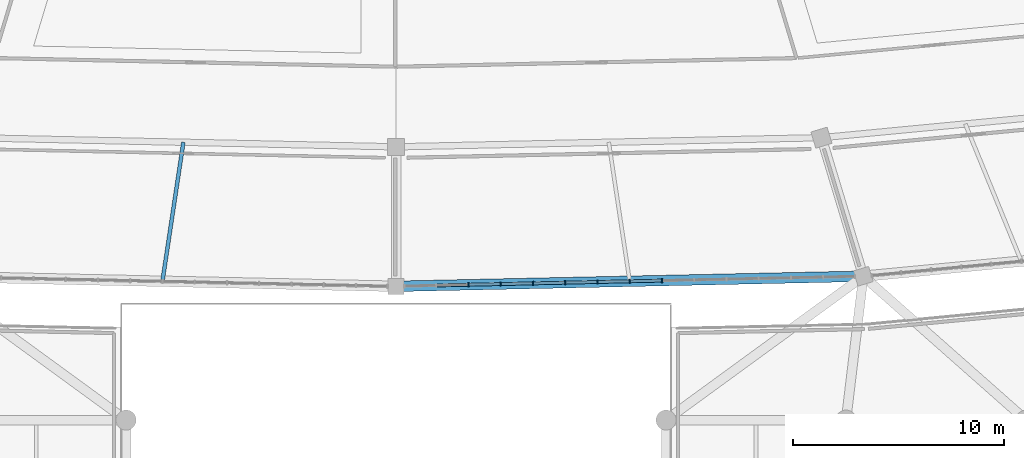
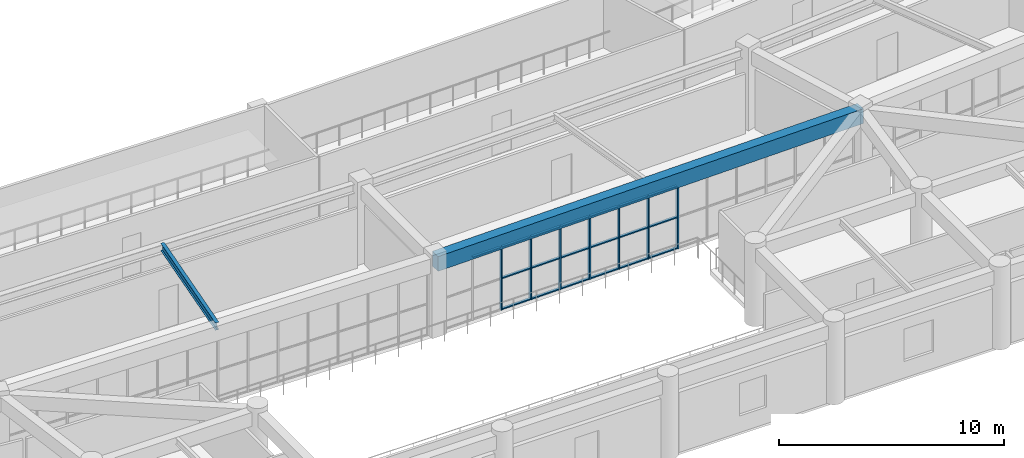
# One storey, part 25 of 141: 26 members, 2 beams, 1 element without a shape of its own.
"""IFC4 building model written with IfcOpenShell, lengths in metres."""

from ifc_helpers import new_model, si_unit, direction, frame, origin, origin_2d, place, context, subcontext, project, spatial, rectangle, i_section, extrude, material, layer, layer_set, material_profile, profile_set, type_object, element, aggregate, save


model = new_model("IFC4")

# Units and contexts
model_context = context("Model", 3, precision=1e-05, world=origin(), true_north=direction((0.0, 1.0)))
body_context = subcontext(model_context, "Body", "Model", "MODEL_VIEW")
ifc_project = project(units=[si_unit("LENGTHUNIT", "METRE"), si_unit("AREAUNIT", "SQUARE_METRE"), si_unit("VOLUMEUNIT", "CUBIC_METRE"), si_unit("PLANEANGLEUNIT", "RADIAN"), si_unit("MASSUNIT", "GRAM", prefix="KILO")], contexts=[model_context])

# Site, building, storey
site_placement = place(None, origin())
site = spatial("IfcSite", under=ifc_project, at=site_placement, CompositionType="ELEMENT")
building_placement = place(site_placement, origin())
building = spatial("IfcBuilding", under=site, at=building_placement, Name="Mphavela Belvedere Stadium", CompositionType="ELEMENT")
storey_placement = place(building_placement, frame((0.0, 0.0, 14.699951171875)))
storey = spatial("IfcBuildingStorey", under=building, at=storey_placement, Name="L03", CompositionType="ELEMENT", Elevation=14.699951171875)

# Beams
ifc_material_1 = material(Name="Steel S355", Category="steel")
ifc_material_profile_1 = material_profile(ifc_material_1, i_section(OverallWidth=0.179931640625, OverallDepth=0.39990234375, WebThickness=0.008544921875, FlangeThickness=0.013427734375, at=origin_2d()), Name="IPE 400")
ifc_profile_set_1 = profile_set([ifc_material_profile_1], Name="Steel S355")
beam_type_1 = type_object("IfcBeamType", Name="BM-JOIST-IPE400", PredefinedType="JOIST", material=ifc_profile_set_1)
beam_1_placement = place(storey_placement, frame((104.93359375, 20.1494140625, 4.050048828125), z_axis=(-0.14889470473, -0.988853056274, 0.0), x_axis=(0.988853056274, -0.14889470473, 0.0)))
element("IfcBeam", 1, at=beam_1_placement, inside=storey, type_object=beam_type_1, Name="Concourse floor joist L03-36", PredefinedType="JOIST", context=body_context, shape_type="SweptSolid", body=[
    extrude(i_section(OverallWidth=0.179931640625, OverallDepth=0.39990234375, WebThickness=0.008544921875, FlangeThickness=0.013427734375, at=origin_2d()), origin(), (0.0, 0.0, 1.0), 6.655517578125),
])
ifc_material_2 = material(Name="Concrete C40/50", Category="concrete")
ifc_material_profile_2 = material_profile(ifc_material_2, rectangle(XDim=0.5, YDim=0.800048828125, at=origin_2d()), Name="RC 500x800")
ifc_profile_set_2 = profile_set([ifc_material_profile_2], Name="Concrete C40/50")
beam_type_2 = type_object("IfcBeamType", Name="BM-SPANDREL-800", PredefinedType="SPANDREL", material=ifc_profile_set_2)
beam_2_placement = place(storey_placement, frame((115.0, 13.330078125, 3.85009765625), z_axis=(0.999768359718, 0.021522706765, 0.0), x_axis=(-0.021522706765, 0.999768359718, 0.0)))
element("IfcBeam", 2, at=beam_2_placement, inside=storey, type_object=beam_type_2, Name="Circumferential girder L03 R4-37", PredefinedType="SPANDREL", context=body_context, shape_type="SweptSolid", body=[
    extrude(rectangle(XDim=0.5, YDim=0.800048828125, at=origin_2d()), origin(), (0.0, 0.0, 1.0), 22.11962890625),
])

# Curtain wall, members
ifc_material_3 = material(Name="Anodised bronze unitised curtain wall framing")
ifc_layer = layer(ifc_material_3, 0.179931640625)
ifc_layer_set = layer_set([ifc_layer], Name="Anodised bronze unitised curtain wall framing")
curtain_wall_type = type_object("IfcCurtainWallType", Name="CW-UNIT-01", PredefinedType="USERDEFINED", material=ifc_layer_set)
curtain_wall_placement = place(storey_placement, origin())
curtain_wall = element("IfcCurtainWall", 3, at=curtain_wall_placement, inside=storey, type_object=curtain_wall_type, Name="Belvedere colonnade curtain wall L03-37", ObjectType="UNITISED CURTAIN WALL", PredefinedType="USERDEFINED")
ifc_material_4 = material(Name="Anodised bronze extruded aluminium", Category="aluminium")
ifc_material_profile_3 = material_profile(ifc_material_4, rectangle(XDim=0.179931640625, YDim=0.06494140625, at=origin_2d()), Name="CW-MUL 180x65")
ifc_profile_set_3 = profile_set([ifc_material_profile_3], Name="Anodised bronze extruded aluminium")
member_type_1 = type_object("IfcMemberType", Name="CWM-180x65", PredefinedType="MULLION", material=ifc_profile_set_3)
member_1_placement = place(storey_placement, frame((118.425537109375, 13.40380859375, 0.0), z_axis=(0.0, 0.0, 1.0), x_axis=(-0.02153107878, 0.999768179453, 0.0)))
member_1 = element("IfcMember", 4, at=member_1_placement, type_object=member_type_1, Name="CW-01 mullion 3", PredefinedType="MULLION", context=body_context, shape_type="SweptSolid", body=[
    extrude(rectangle(XDim=0.179931640625, YDim=0.06494140625, at=origin_2d()), origin(), (0.0, 0.0, 1.0), 3.420166015625),
])
member_2_placement = place(storey_placement, frame((119.951904296875, 13.4365234375, 0.0), z_axis=(0.0, 0.0, 1.0), x_axis=(-0.02153107878, 0.999768179453, 0.0)))
member_2 = element("IfcMember", 5, at=member_2_placement, type_object=member_type_1, Name="CW-01 mullion 4", PredefinedType="MULLION", context=body_context, shape_type="SweptSolid", body=[
    extrude(rectangle(XDim=0.179931640625, YDim=0.06494140625, at=origin_2d()), origin(), (0.0, 0.0, 1.0), 3.420166015625),
])
member_3_placement = place(storey_placement, frame((121.478271484375, 13.469482421875, 0.0), z_axis=(0.0, 0.0, 1.0), x_axis=(-0.02153107878, 0.999768179453, 0.0)))
member_3 = element("IfcMember", 6, at=member_3_placement, type_object=member_type_1, Name="CW-01 mullion 5", PredefinedType="MULLION", context=body_context, shape_type="SweptSolid", body=[
    extrude(rectangle(XDim=0.179931640625, YDim=0.06494140625, at=origin_2d()), origin(), (0.0, 0.0, 1.0), 3.420166015625),
])
member_4_placement = place(storey_placement, frame((123.004638671875, 13.50244140625, 0.0), z_axis=(0.0, 0.0, 1.0), x_axis=(-0.02153107878, 0.999768179453, 0.0)))
member_4 = element("IfcMember", 7, at=member_4_placement, type_object=member_type_1, Name="CW-01 mullion 6", PredefinedType="MULLION", context=body_context, shape_type="SweptSolid", body=[
    extrude(rectangle(XDim=0.179931640625, YDim=0.06494140625, at=origin_2d()), origin(), (0.0, 0.0, 1.0), 3.420166015625),
])
member_5_placement = place(storey_placement, frame((124.531005859375, 13.53515625, 0.0), z_axis=(0.0, 0.0, 1.0), x_axis=(-0.02153107878, 0.999768179453, 0.0)))
member_5 = element("IfcMember", 8, at=member_5_placement, type_object=member_type_1, Name="CW-01 mullion 7", PredefinedType="MULLION", context=body_context, shape_type="SweptSolid", body=[
    extrude(rectangle(XDim=0.179931640625, YDim=0.06494140625, at=origin_2d()), origin(), (0.0, 0.0, 1.0), 3.420166015625),
])
member_6_placement = place(storey_placement, frame((126.057373046875, 13.568115234375, 0.0), z_axis=(0.0, 0.0, 1.0), x_axis=(-0.02153107878, 0.999768179453, 0.0)))
member_6 = element("IfcMember", 9, at=member_6_placement, type_object=member_type_1, Name="CW-01 mullion 8", PredefinedType="MULLION", context=body_context, shape_type="SweptSolid", body=[
    extrude(rectangle(XDim=0.179931640625, YDim=0.06494140625, at=origin_2d()), origin(), (0.0, 0.0, 1.0), 3.420166015625),
])
member_7_placement = place(storey_placement, frame((127.583740234375, 13.60107421875, 0.0), z_axis=(0.0, 0.0, 1.0), x_axis=(-0.02153107878, 0.999768179453, 0.0)))
member_7 = element("IfcMember", 10, at=member_7_placement, type_object=member_type_1, Name="CW-01 mullion 9", PredefinedType="MULLION", context=body_context, shape_type="SweptSolid", body=[
    extrude(rectangle(XDim=0.179931640625, YDim=0.06494140625, at=origin_2d()), origin(), (0.0, 0.0, 1.0), 3.420166015625),
])
ifc_material_5 = material(Name="Anodised bronze extruded aluminium", Category="aluminium")
ifc_material_profile_4 = material_profile(ifc_material_5, rectangle(XDim=0.139892578125, YDim=0.06005859375, at=origin_2d()), Name="CW-TRN 140x60")
ifc_profile_set_4 = profile_set([ifc_material_profile_4], Name="Anodised bronze extruded aluminium")
member_type_2 = type_object("IfcMemberType", Name="CWT-140x60", PredefinedType="USERDEFINED", material=ifc_profile_set_4)
member_8_placement = place(storey_placement, frame((116.931640625, 13.37158203125, 3.39013671875), z_axis=(0.999767873479, 0.021545281604, 0.0), x_axis=(-0.021545281604, 0.999767873479, 0.0)))
member_8 = element("IfcMember", 11, at=member_8_placement, type_object=member_type_2, Name="CW-01 transom 2.3", ObjectType="TRANSOM", PredefinedType="USERDEFINED", context=body_context, shape_type="SweptSolid", body=[
    extrude(rectangle(XDim=0.139892578125, YDim=0.06005859375, at=origin_2d()), origin(), (0.0, 0.0, 1.0), 1.461669921875),
])
member_9_placement = place(storey_placement, frame((118.4580078125, 13.404541015625, 0.030029296875), z_axis=(0.999767873479, 0.021545281604, 0.0), x_axis=(-0.021545281604, 0.999767873479, 0.0)))
member_9 = element("IfcMember", 12, at=member_9_placement, type_object=member_type_2, Name="CW-01 transom 3.1", ObjectType="TRANSOM", PredefinedType="USERDEFINED", context=body_context, shape_type="SweptSolid", body=[
    extrude(rectangle(XDim=0.139892578125, YDim=0.06005859375, at=origin_2d()), origin(), (0.0, 0.0, 1.0), 1.461669921875),
])
member_10_placement = place(storey_placement, frame((118.4580078125, 13.404541015625, 1.7099609375), z_axis=(0.999767873479, 0.021545281604, 0.0), x_axis=(-0.021545281604, 0.999767873479, 0.0)))
member_10 = element("IfcMember", 13, at=member_10_placement, type_object=member_type_2, Name="CW-01 transom 3.2", ObjectType="TRANSOM", PredefinedType="USERDEFINED", context=body_context, shape_type="SweptSolid", body=[
    extrude(rectangle(XDim=0.139892578125, YDim=0.06005859375, at=origin_2d()), origin(), (0.0, 0.0, 1.0), 1.461669921875),
])
member_11_placement = place(storey_placement, frame((118.4580078125, 13.404541015625, 3.39013671875), z_axis=(0.999767873479, 0.021545281604, 0.0), x_axis=(-0.021545281604, 0.999767873479, 0.0)))
member_11 = element("IfcMember", 14, at=member_11_placement, type_object=member_type_2, Name="CW-01 transom 3.3", ObjectType="TRANSOM", PredefinedType="USERDEFINED", context=body_context, shape_type="SweptSolid", body=[
    extrude(rectangle(XDim=0.139892578125, YDim=0.06005859375, at=origin_2d()), origin(), (0.0, 0.0, 1.0), 1.461669921875),
])
member_12_placement = place(storey_placement, frame((119.984375, 13.437255859375, 0.030029296875), z_axis=(0.999767873479, 0.021545281604, 0.0), x_axis=(-0.021545281604, 0.999767873479, 0.0)))
member_12 = element("IfcMember", 15, at=member_12_placement, type_object=member_type_2, Name="CW-01 transom 4.1", ObjectType="TRANSOM", PredefinedType="USERDEFINED", context=body_context, shape_type="SweptSolid", body=[
    extrude(rectangle(XDim=0.139892578125, YDim=0.06005859375, at=origin_2d()), origin(), (0.0, 0.0, 1.0), 1.461669921875),
])
member_13_placement = place(storey_placement, frame((119.984375, 13.437255859375, 1.7099609375), z_axis=(0.999767873479, 0.021545281604, 0.0), x_axis=(-0.021545281604, 0.999767873479, 0.0)))
member_13 = element("IfcMember", 16, at=member_13_placement, type_object=member_type_2, Name="CW-01 transom 4.2", ObjectType="TRANSOM", PredefinedType="USERDEFINED", context=body_context, shape_type="SweptSolid", body=[
    extrude(rectangle(XDim=0.139892578125, YDim=0.06005859375, at=origin_2d()), origin(), (0.0, 0.0, 1.0), 1.461669921875),
])
member_14_placement = place(storey_placement, frame((119.984375, 13.437255859375, 3.39013671875), z_axis=(0.999767873479, 0.021545281604, 0.0), x_axis=(-0.021545281604, 0.999767873479, 0.0)))
member_14 = element("IfcMember", 17, at=member_14_placement, type_object=member_type_2, Name="CW-01 transom 4.3", ObjectType="TRANSOM", PredefinedType="USERDEFINED", context=body_context, shape_type="SweptSolid", body=[
    extrude(rectangle(XDim=0.139892578125, YDim=0.06005859375, at=origin_2d()), origin(), (0.0, 0.0, 1.0), 1.461669921875),
])
member_15_placement = place(storey_placement, frame((121.5107421875, 13.47021484375, 0.030029296875), z_axis=(0.999767873479, 0.021545281604, 0.0), x_axis=(-0.021545281604, 0.999767873479, 0.0)))
member_15 = element("IfcMember", 18, at=member_15_placement, type_object=member_type_2, Name="CW-01 transom 5.1", ObjectType="TRANSOM", PredefinedType="USERDEFINED", context=body_context, shape_type="SweptSolid", body=[
    extrude(rectangle(XDim=0.139892578125, YDim=0.06005859375, at=origin_2d()), origin(), (0.0, 0.0, 1.0), 1.461669921875),
])
member_16_placement = place(storey_placement, frame((121.5107421875, 13.47021484375, 1.7099609375), z_axis=(0.999767873479, 0.021545281604, 0.0), x_axis=(-0.021545281604, 0.999767873479, 0.0)))
member_16 = element("IfcMember", 19, at=member_16_placement, type_object=member_type_2, Name="CW-01 transom 5.2", ObjectType="TRANSOM", PredefinedType="USERDEFINED", context=body_context, shape_type="SweptSolid", body=[
    extrude(rectangle(XDim=0.139892578125, YDim=0.06005859375, at=origin_2d()), origin(), (0.0, 0.0, 1.0), 1.461669921875),
])
member_17_placement = place(storey_placement, frame((121.5107421875, 13.47021484375, 3.39013671875), z_axis=(0.999767873479, 0.021545281604, 0.0), x_axis=(-0.021545281604, 0.999767873479, 0.0)))
member_17 = element("IfcMember", 20, at=member_17_placement, type_object=member_type_2, Name="CW-01 transom 5.3", ObjectType="TRANSOM", PredefinedType="USERDEFINED", context=body_context, shape_type="SweptSolid", body=[
    extrude(rectangle(XDim=0.139892578125, YDim=0.06005859375, at=origin_2d()), origin(), (0.0, 0.0, 1.0), 1.461669921875),
])
member_18_placement = place(storey_placement, frame((123.037109375, 13.503173828125, 0.030029296875), z_axis=(0.999771457162, 0.021378340547, 0.0), x_axis=(-0.021378340547, 0.999771457162, 0.0)))
member_18 = element("IfcMember", 21, at=member_18_placement, type_object=member_type_2, Name="CW-01 transom 6.1", ObjectType="TRANSOM", PredefinedType="USERDEFINED", context=body_context, shape_type="SweptSolid", body=[
    extrude(rectangle(XDim=0.139892578125, YDim=0.06005859375, at=origin_2d()), origin(), (0.0, 0.0, 1.0), 1.461669921875),
])
member_19_placement = place(storey_placement, frame((123.037109375, 13.503173828125, 1.7099609375), z_axis=(0.999771457162, 0.021378340547, 0.0), x_axis=(-0.021378340547, 0.999771457162, 0.0)))
member_19 = element("IfcMember", 22, at=member_19_placement, type_object=member_type_2, Name="CW-01 transom 6.2", ObjectType="TRANSOM", PredefinedType="USERDEFINED", context=body_context, shape_type="SweptSolid", body=[
    extrude(rectangle(XDim=0.139892578125, YDim=0.06005859375, at=origin_2d()), origin(), (0.0, 0.0, 1.0), 1.461669921875),
])
member_20_placement = place(storey_placement, frame((123.037109375, 13.503173828125, 3.39013671875), z_axis=(0.999771457162, 0.021378340547, 0.0), x_axis=(-0.021378340547, 0.999771457162, 0.0)))
member_20 = element("IfcMember", 23, at=member_20_placement, type_object=member_type_2, Name="CW-01 transom 6.3", ObjectType="TRANSOM", PredefinedType="USERDEFINED", context=body_context, shape_type="SweptSolid", body=[
    extrude(rectangle(XDim=0.139892578125, YDim=0.06005859375, at=origin_2d()), origin(), (0.0, 0.0, 1.0), 1.461669921875),
])
member_21_placement = place(storey_placement, frame((124.5634765625, 13.535888671875, 0.030029296875), z_axis=(0.999767873479, 0.021545281604, 0.0), x_axis=(-0.021545281604, 0.999767873479, 0.0)))
member_21 = element("IfcMember", 24, at=member_21_placement, type_object=member_type_2, Name="CW-01 transom 7.1", ObjectType="TRANSOM", PredefinedType="USERDEFINED", context=body_context, shape_type="SweptSolid", body=[
    extrude(rectangle(XDim=0.139892578125, YDim=0.06005859375, at=origin_2d()), origin(), (0.0, 0.0, 1.0), 1.461669921875),
])
member_22_placement = place(storey_placement, frame((124.5634765625, 13.535888671875, 1.7099609375), z_axis=(0.999767873479, 0.021545281604, 0.0), x_axis=(-0.021545281604, 0.999767873479, 0.0)))
member_22 = element("IfcMember", 25, at=member_22_placement, type_object=member_type_2, Name="CW-01 transom 7.2", ObjectType="TRANSOM", PredefinedType="USERDEFINED", context=body_context, shape_type="SweptSolid", body=[
    extrude(rectangle(XDim=0.139892578125, YDim=0.06005859375, at=origin_2d()), origin(), (0.0, 0.0, 1.0), 1.461669921875),
])
member_23_placement = place(storey_placement, frame((124.5634765625, 13.535888671875, 3.39013671875), z_axis=(0.999767873479, 0.021545281604, 0.0), x_axis=(-0.021545281604, 0.999767873479, 0.0)))
member_23 = element("IfcMember", 26, at=member_23_placement, type_object=member_type_2, Name="CW-01 transom 7.3", ObjectType="TRANSOM", PredefinedType="USERDEFINED", context=body_context, shape_type="SweptSolid", body=[
    extrude(rectangle(XDim=0.139892578125, YDim=0.06005859375, at=origin_2d()), origin(), (0.0, 0.0, 1.0), 1.461669921875),
])
member_24_placement = place(storey_placement, frame((126.08984375, 13.56884765625, 0.030029296875), z_axis=(0.999767873479, 0.021545281604, 0.0), x_axis=(-0.021545281604, 0.999767873479, 0.0)))
member_24 = element("IfcMember", 27, at=member_24_placement, type_object=member_type_2, Name="CW-01 transom 8.1", ObjectType="TRANSOM", PredefinedType="USERDEFINED", context=body_context, shape_type="SweptSolid", body=[
    extrude(rectangle(XDim=0.139892578125, YDim=0.06005859375, at=origin_2d()), origin(), (0.0, 0.0, 1.0), 1.461669921875),
])
member_25_placement = place(storey_placement, frame((126.08984375, 13.56884765625, 1.7099609375), z_axis=(0.999767873479, 0.021545281604, 0.0), x_axis=(-0.021545281604, 0.999767873479, 0.0)))
member_25 = element("IfcMember", 28, at=member_25_placement, type_object=member_type_2, Name="CW-01 transom 8.2", ObjectType="TRANSOM", PredefinedType="USERDEFINED", context=body_context, shape_type="SweptSolid", body=[
    extrude(rectangle(XDim=0.139892578125, YDim=0.06005859375, at=origin_2d()), origin(), (0.0, 0.0, 1.0), 1.461669921875),
])
member_26_placement = place(storey_placement, frame((126.08984375, 13.56884765625, 3.39013671875), z_axis=(0.999767873479, 0.021545281604, 0.0), x_axis=(-0.021545281604, 0.999767873479, 0.0)))
member_26 = element("IfcMember", 29, at=member_26_placement, type_object=member_type_2, Name="CW-01 transom 8.3", ObjectType="TRANSOM", PredefinedType="USERDEFINED", context=body_context, shape_type="SweptSolid", body=[
    extrude(rectangle(XDim=0.139892578125, YDim=0.06005859375, at=origin_2d()), origin(), (0.0, 0.0, 1.0), 1.461669921875),
])
aggregate(curtain_wall, [member_1, member_2, member_3, member_4, member_5, member_6, member_7, member_8, member_9, member_10, member_11, member_12, member_13, member_14, member_15, member_16, member_17, member_18, member_19, member_20, member_21, member_22, member_23, member_24, member_25, member_26])

save(model, "model.ifc")
